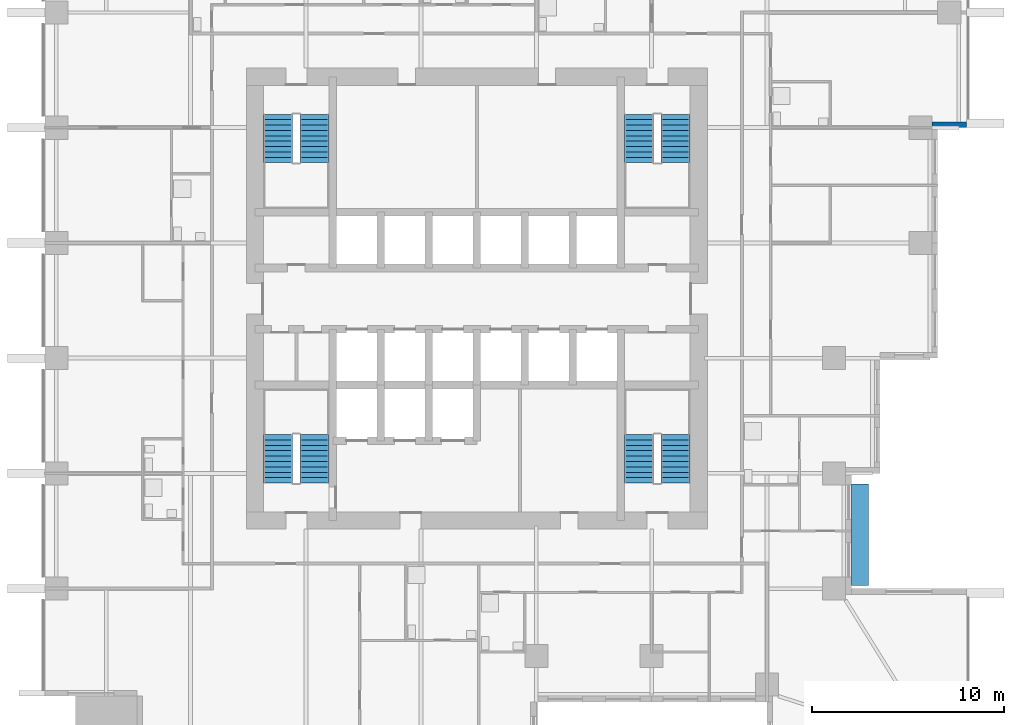
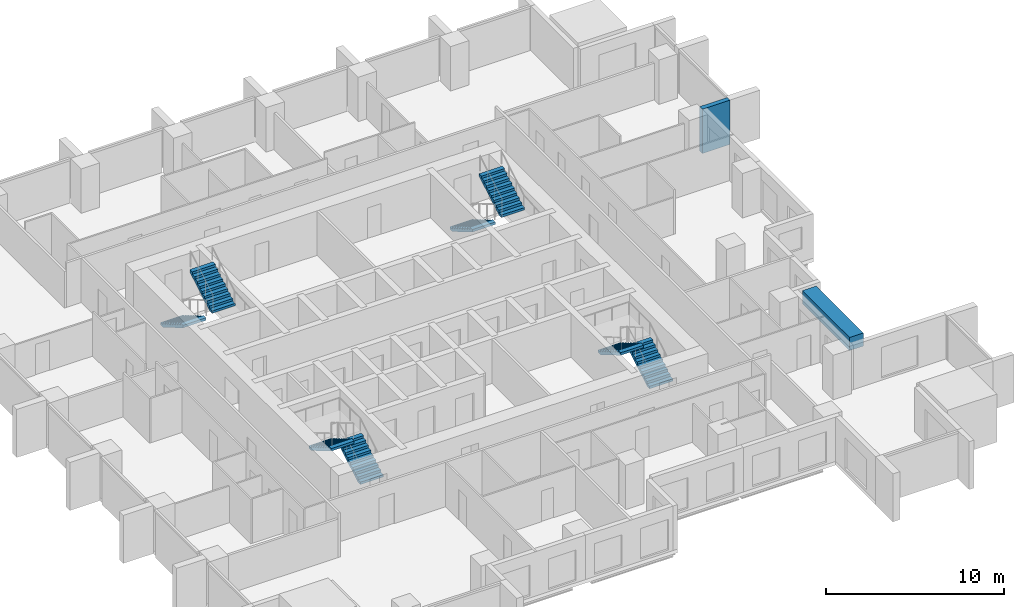
# One storey, part 8 of 10: 8 stair flights, 1 discrete accessory, 1 wall, 4 elements without a shape of their own.
"""IFC4 building model written with IfcOpenShell, lengths in metres."""

from ifc_helpers import new_model, si_unit, direction, frame, frame_2d, origin, origin_2d, place, context, subcontext, project, spatial, polyline, rectangle, outline, extrude, material, layer, layer_set, type_object, element, aggregate, save


model = new_model("IFC4")

# Units and contexts
model_context = context("Model", 3, precision=1e-05, world=origin(), true_north=direction((0.0, 1.0)))
body_context = subcontext(model_context, "Body", "Model", "MODEL_VIEW")
ifc_project = project(units=[si_unit("LENGTHUNIT", "METRE"), si_unit("AREAUNIT", "SQUARE_METRE"), si_unit("VOLUMEUNIT", "CUBIC_METRE"), si_unit("PLANEANGLEUNIT", "RADIAN"), si_unit("MASSUNIT", "GRAM", prefix="KILO")], contexts=[model_context])

# Site, building, storey
site_placement = place(None, origin())
site = spatial("IfcSite", under=ifc_project, at=site_placement, CompositionType="ELEMENT")
building_placement = place(site_placement, origin())
building = spatial("IfcBuilding", under=site, at=building_placement, Name="Amberfall Residences", CompositionType="ELEMENT")
storey_placement = place(building_placement, frame((0.0, 0.0, 36.699951171875)))
storey = spatial("IfcBuildingStorey", under=building, at=storey_placement, Name="L09", CompositionType="ELEMENT", Elevation=36.699951171875)

# Wall
ifc_material_1 = material(Name="Pale stone cladding on insulated backing", Category="masonry")
ifc_layer = layer(ifc_material_1, 0.300048828125)
ifc_layer_set = layer_set([ifc_layer], Name="Bronze clad wall 300")
wall_type = type_object("IfcWallType", Name="Bronze clad wall 300", PredefinedType="SOLIDWALL", material=ifc_layer_set)
wall_placement = place(storey_placement, frame((98.199951171875, 54.550048828125, 0.0), z_axis=(0.0, 0.0, 1.0), x_axis=(1.0, 0.0, 0.0)))
element("IfcWall", 1, at=wall_placement, inside=storey, type_object=wall_type, Name="External wall L09 E", PredefinedType="SOLIDWALL", context=body_context, shape_type="SweptSolid", body=[
    extrude(rectangle(XDim=1.800048828125, YDim=0.300048828125, at=frame_2d((0.89990234375, 0.0))), origin(), (0.0, 0.0, 1.0), 3.050048828125),
])

# Stair, stair flights
ifc_material_2 = material(Name="Concrete C40", Category="concrete")
stair_type = type_object("IfcStairType", Name="Exit stair 20 risers 165.0 mm", PredefinedType="HALF_TURN_STAIR", material=ifc_material_2)
stair_1_placement = place(storey_placement, origin())
stair_1 = element("IfcStair", 2, at=stair_1_placement, inside=storey, type_object=stair_type, Name="L09 Exit stair 1", PredefinedType="HALF_TURN_STAIR")
stair_flight_type = type_object("IfcStairFlightType", Name="Stair flight 10 risers 165.0 mm", PredefinedType="STRAIGHT", material=ifc_material_2)
stair_flight_1_placement = place(storey_placement, frame((66.050048828125, 35.89990234375, 0.0), z_axis=(0.0, 0.0, 1.0), x_axis=(0.0, 1.0, 0.0)))
stair_flight_1 = element("IfcStairFlight", 3, at=stair_flight_1_placement, type_object=stair_flight_type, Name="ST3 flight 1", NumberOfRisers=10, NumberOfTreads=9, PredefinedType="STRAIGHT", RiserHeight=0.165, TreadLength=0.28, context=body_context, shape_type="SweptSolid", body=[
    extrude(outline(polyline([(0.0, 0.0), (0.0, 0.1650390625), (0.280029296875, 0.1650390625), (0.280029296875, 0.330078125), (0.56005859375, 0.330078125), (0.56005859375, 0.4951171875), (0.840087890625, 0.4951171875), (0.840087890625, 0.659912109375), (1.1201171875, 0.659912109375), (1.1201171875, 0.824951171875), (1.39990234375, 0.824951171875), (1.39990234375, 0.989990234375), (1.679931640625, 0.989990234375), (1.679931640625, 1.155029296875), (1.9599609375, 1.155029296875), (1.9599609375, 1.320068359375), (2.239990234375, 1.320068359375), (2.239990234375, 1.485107421875), (2.52001953125, 1.485107421875), (2.52001953125, 1.64990234375), (2.52001953125, 1.31103515625), (0.295166015625, 0.0), (0.0, 0.0)])), frame((0.0, 0.75, 0.0), z_axis=(0.0, -1.0, 0.0), x_axis=(1.0, 0.0, 0.0)), (0.0, 0.0, 1.0), 1.5),
])
stair_flight_2_placement = place(storey_placement, frame((64.14990234375, 38.419921875, 1.650146484375), z_axis=(0.0, 0.0, 1.0), x_axis=(0.0, -1.0, 0.0)))
stair_flight_2 = element("IfcStairFlight", 4, at=stair_flight_2_placement, type_object=stair_flight_type, Name="ST3 flight 2", NumberOfRisers=10, NumberOfTreads=9, PredefinedType="STRAIGHT", RiserHeight=0.165, TreadLength=0.28, context=body_context, shape_type="SweptSolid", body=[
    extrude(outline(polyline([(0.0, 0.0), (0.0, 0.1650390625), (0.280029296875, 0.1650390625), (0.280029296875, 0.330078125), (0.56005859375, 0.330078125), (0.56005859375, 0.4951171875), (0.840087890625, 0.4951171875), (0.840087890625, 0.659912109375), (1.1201171875, 0.659912109375), (1.1201171875, 0.824951171875), (1.39990234375, 0.824951171875), (1.39990234375, 0.989990234375), (1.679931640625, 0.989990234375), (1.679931640625, 1.155029296875), (1.9599609375, 1.155029296875), (1.9599609375, 1.320068359375), (2.239990234375, 1.320068359375), (2.239990234375, 1.485107421875), (2.52001953125, 1.485107421875), (2.52001953125, 1.64990234375), (2.52001953125, 1.31103515625), (0.295166015625, 0.0), (0.0, 0.0)])), frame((0.0, 0.75, 0.0), z_axis=(0.0, -1.0, 0.0), x_axis=(1.0, 0.0, 0.0)), (0.0, 0.0, 1.0), 1.5),
])
aggregate(stair_1, [stair_flight_1, stair_flight_2])

stair_2_placement = place(storey_placement, origin())
stair_2 = element("IfcStair", 5, at=stair_2_placement, inside=storey, type_object=stair_type, Name="L09 Exit stair 2", PredefinedType="HALF_TURN_STAIR")
stair_flight_3_placement = place(storey_placement, frame((84.85009765625, 35.89990234375, 0.0), z_axis=(0.0, 0.0, 1.0), x_axis=(0.0, 1.0, 0.0)))
stair_flight_3 = element("IfcStairFlight", 6, at=stair_flight_3_placement, type_object=stair_flight_type, Name="ST3 flight 1", NumberOfRisers=10, NumberOfTreads=9, PredefinedType="STRAIGHT", RiserHeight=0.165, TreadLength=0.28, context=body_context, shape_type="SweptSolid", body=[
    extrude(outline(polyline([(0.0, 0.0), (0.0, 0.1650390625), (0.280029296875, 0.1650390625), (0.280029296875, 0.330078125), (0.56005859375, 0.330078125), (0.56005859375, 0.4951171875), (0.840087890625, 0.4951171875), (0.840087890625, 0.659912109375), (1.1201171875, 0.659912109375), (1.1201171875, 0.824951171875), (1.39990234375, 0.824951171875), (1.39990234375, 0.989990234375), (1.679931640625, 0.989990234375), (1.679931640625, 1.155029296875), (1.9599609375, 1.155029296875), (1.9599609375, 1.320068359375), (2.239990234375, 1.320068359375), (2.239990234375, 1.485107421875), (2.52001953125, 1.485107421875), (2.52001953125, 1.64990234375), (2.52001953125, 1.31103515625), (0.295166015625, 0.0), (0.0, 0.0)])), frame((0.0, 0.75, 0.0), z_axis=(0.0, -1.0, 0.0), x_axis=(1.0, 0.0, 0.0)), (0.0, 0.0, 1.0), 1.5),
])
stair_flight_4_placement = place(storey_placement, frame((82.949951171875, 38.419921875, 1.650146484375), z_axis=(0.0, 0.0, 1.0), x_axis=(0.0, -1.0, 0.0)))
stair_flight_4 = element("IfcStairFlight", 7, at=stair_flight_4_placement, type_object=stair_flight_type, Name="ST3 flight 2", NumberOfRisers=10, NumberOfTreads=9, PredefinedType="STRAIGHT", RiserHeight=0.165, TreadLength=0.28, context=body_context, shape_type="SweptSolid", body=[
    extrude(outline(polyline([(0.0, 0.0), (0.0, 0.1650390625), (0.280029296875, 0.1650390625), (0.280029296875, 0.330078125), (0.56005859375, 0.330078125), (0.56005859375, 0.4951171875), (0.840087890625, 0.4951171875), (0.840087890625, 0.659912109375), (1.1201171875, 0.659912109375), (1.1201171875, 0.824951171875), (1.39990234375, 0.824951171875), (1.39990234375, 0.989990234375), (1.679931640625, 0.989990234375), (1.679931640625, 1.155029296875), (1.9599609375, 1.155029296875), (1.9599609375, 1.320068359375), (2.239990234375, 1.320068359375), (2.239990234375, 1.485107421875), (2.52001953125, 1.485107421875), (2.52001953125, 1.64990234375), (2.52001953125, 1.31103515625), (0.295166015625, 0.0), (0.0, 0.0)])), frame((0.0, 0.75, 0.0), z_axis=(0.0, -1.0, 0.0), x_axis=(1.0, 0.0, 0.0)), (0.0, 0.0, 1.0), 1.5),
])
aggregate(stair_2, [stair_flight_3, stair_flight_4])

stair_3_placement = place(storey_placement, origin())
stair_3 = element("IfcStair", 8, at=stair_3_placement, inside=storey, type_object=stair_type, Name="L09 Exit stair 3", PredefinedType="HALF_TURN_STAIR")
stair_flight_5_placement = place(storey_placement, frame((82.949951171875, 55.10009765625, 0.0), z_axis=(0.0, 0.0, 1.0), x_axis=(0.0, -1.0, 0.0)))
stair_flight_5 = element("IfcStairFlight", 9, at=stair_flight_5_placement, type_object=stair_flight_type, Name="ST3 flight 1", NumberOfRisers=10, NumberOfTreads=9, PredefinedType="STRAIGHT", RiserHeight=0.165, TreadLength=0.28, context=body_context, shape_type="SweptSolid", body=[
    extrude(outline(polyline([(0.0, 0.0), (0.0, 0.1650390625), (0.280029296875, 0.1650390625), (0.280029296875, 0.330078125), (0.56005859375, 0.330078125), (0.56005859375, 0.4951171875), (0.840087890625, 0.4951171875), (0.840087890625, 0.659912109375), (1.1201171875, 0.659912109375), (1.1201171875, 0.824951171875), (1.39990234375, 0.824951171875), (1.39990234375, 0.989990234375), (1.679931640625, 0.989990234375), (1.679931640625, 1.155029296875), (1.9599609375, 1.155029296875), (1.9599609375, 1.320068359375), (2.239990234375, 1.320068359375), (2.239990234375, 1.485107421875), (2.52001953125, 1.485107421875), (2.52001953125, 1.64990234375), (2.52001953125, 1.31103515625), (0.295166015625, 0.0), (0.0, 0.0)])), frame((0.0, 0.75, 0.0), z_axis=(0.0, -1.0, 0.0), x_axis=(1.0, 0.0, 0.0)), (0.0, 0.0, 1.0), 1.5),
])
stair_flight_6_placement = place(storey_placement, frame((84.85009765625, 52.580078125, 1.650146484375), z_axis=(0.0, 0.0, 1.0), x_axis=(0.0, 1.0, 0.0)))
stair_flight_6 = element("IfcStairFlight", 10, at=stair_flight_6_placement, type_object=stair_flight_type, Name="ST3 flight 2", NumberOfRisers=10, NumberOfTreads=9, PredefinedType="STRAIGHT", RiserHeight=0.165, TreadLength=0.28, context=body_context, shape_type="SweptSolid", body=[
    extrude(outline(polyline([(0.0, 0.0), (0.0, 0.1650390625), (0.280029296875, 0.1650390625), (0.280029296875, 0.330078125), (0.56005859375, 0.330078125), (0.56005859375, 0.4951171875), (0.840087890625, 0.4951171875), (0.840087890625, 0.659912109375), (1.1201171875, 0.659912109375), (1.1201171875, 0.824951171875), (1.39990234375, 0.824951171875), (1.39990234375, 0.989990234375), (1.679931640625, 0.989990234375), (1.679931640625, 1.155029296875), (1.9599609375, 1.155029296875), (1.9599609375, 1.320068359375), (2.239990234375, 1.320068359375), (2.239990234375, 1.485107421875), (2.52001953125, 1.485107421875), (2.52001953125, 1.64990234375), (2.52001953125, 1.31103515625), (0.295166015625, 0.0), (0.0, 0.0)])), frame((0.0, 0.75, 0.0), z_axis=(0.0, -1.0, 0.0), x_axis=(1.0, 0.0, 0.0)), (0.0, 0.0, 1.0), 1.5),
])
aggregate(stair_3, [stair_flight_5, stair_flight_6])

stair_4_placement = place(storey_placement, origin())
stair_4 = element("IfcStair", 11, at=stair_4_placement, inside=storey, type_object=stair_type, Name="L09 Exit stair 4", PredefinedType="HALF_TURN_STAIR")
stair_flight_7_placement = place(storey_placement, frame((64.14990234375, 55.10009765625, 0.0), z_axis=(0.0, 0.0, 1.0), x_axis=(0.0, -1.0, 0.0)))
stair_flight_7 = element("IfcStairFlight", 12, at=stair_flight_7_placement, type_object=stair_flight_type, Name="ST3 flight 1", NumberOfRisers=10, NumberOfTreads=9, PredefinedType="STRAIGHT", RiserHeight=0.165, TreadLength=0.28, context=body_context, shape_type="SweptSolid", body=[
    extrude(outline(polyline([(0.0, 0.0), (0.0, 0.1650390625), (0.280029296875, 0.1650390625), (0.280029296875, 0.330078125), (0.56005859375, 0.330078125), (0.56005859375, 0.4951171875), (0.840087890625, 0.4951171875), (0.840087890625, 0.659912109375), (1.1201171875, 0.659912109375), (1.1201171875, 0.824951171875), (1.39990234375, 0.824951171875), (1.39990234375, 0.989990234375), (1.679931640625, 0.989990234375), (1.679931640625, 1.155029296875), (1.9599609375, 1.155029296875), (1.9599609375, 1.320068359375), (2.239990234375, 1.320068359375), (2.239990234375, 1.485107421875), (2.52001953125, 1.485107421875), (2.52001953125, 1.64990234375), (2.52001953125, 1.31103515625), (0.295166015625, 0.0), (0.0, 0.0)])), frame((0.0, 0.75, 0.0), z_axis=(0.0, -1.0, 0.0), x_axis=(1.0, 0.0, 0.0)), (0.0, 0.0, 1.0), 1.5),
])
stair_flight_8_placement = place(storey_placement, frame((66.050048828125, 52.580078125, 1.650146484375), z_axis=(0.0, 0.0, 1.0), x_axis=(0.0, 1.0, 0.0)))
stair_flight_8 = element("IfcStairFlight", 13, at=stair_flight_8_placement, type_object=stair_flight_type, Name="ST3 flight 2", NumberOfRisers=10, NumberOfTreads=9, PredefinedType="STRAIGHT", RiserHeight=0.165, TreadLength=0.28, context=body_context, shape_type="SweptSolid", body=[
    extrude(outline(polyline([(0.0, 0.0), (0.0, 0.1650390625), (0.280029296875, 0.1650390625), (0.280029296875, 0.330078125), (0.56005859375, 0.330078125), (0.56005859375, 0.4951171875), (0.840087890625, 0.4951171875), (0.840087890625, 0.659912109375), (1.1201171875, 0.659912109375), (1.1201171875, 0.824951171875), (1.39990234375, 0.824951171875), (1.39990234375, 0.989990234375), (1.679931640625, 0.989990234375), (1.679931640625, 1.155029296875), (1.9599609375, 1.155029296875), (1.9599609375, 1.320068359375), (2.239990234375, 1.320068359375), (2.239990234375, 1.485107421875), (2.52001953125, 1.485107421875), (2.52001953125, 1.64990234375), (2.52001953125, 1.31103515625), (0.295166015625, 0.0), (0.0, 0.0)])), frame((0.0, 0.75, 0.0), z_axis=(0.0, -1.0, 0.0), x_axis=(1.0, 0.0, 0.0)), (0.0, 0.0, 1.0), 1.5),
])
aggregate(stair_4, [stair_flight_7, stair_flight_8])

# Discrete accessory
discrete_accessory_placement = place(storey_placement, frame((94.449951171875, 33.205078125, 2.400146484375), z_axis=(0.0, 0.0, 1.0), x_axis=(0.0, 1.0, 0.0)))
element("IfcDiscreteAccessory", 14, at=discrete_accessory_placement, inside=storey, Name="Planter box L10 E3", ObjectType="PLANTER BOX", PredefinedType="USERDEFINED", context=body_context, shape_type="SweptSolid", body=[
    extrude(rectangle(XDim=5.31005859375, YDim=0.89990234375, at=origin_2d()), origin(), (0.0, 0.0, 1.0), 0.89990234375),
])

save(model, "model.ifc")
